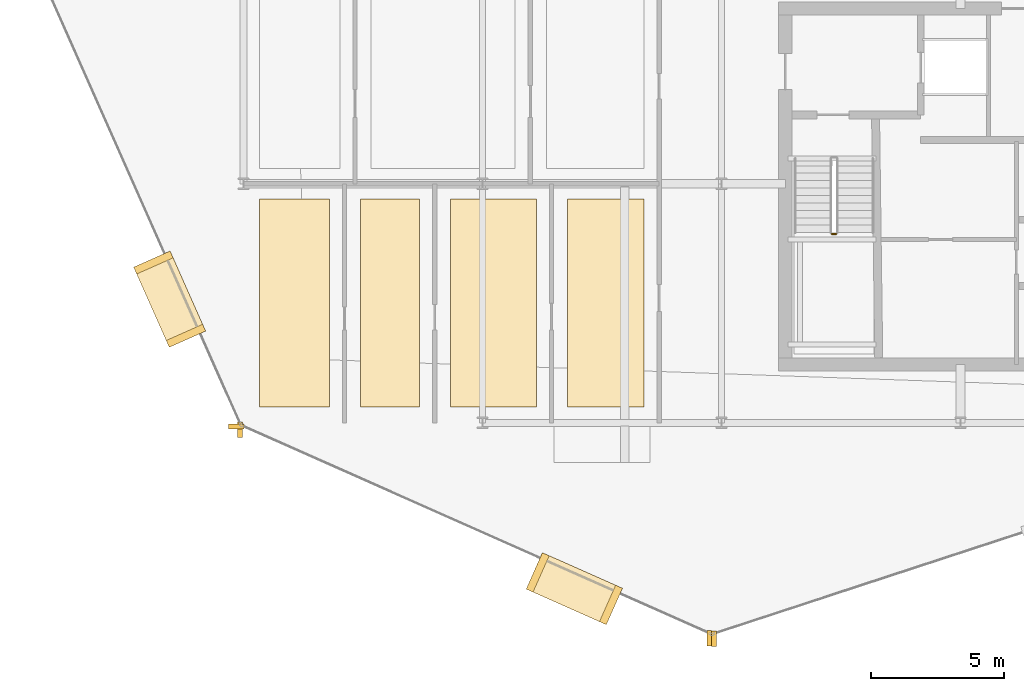
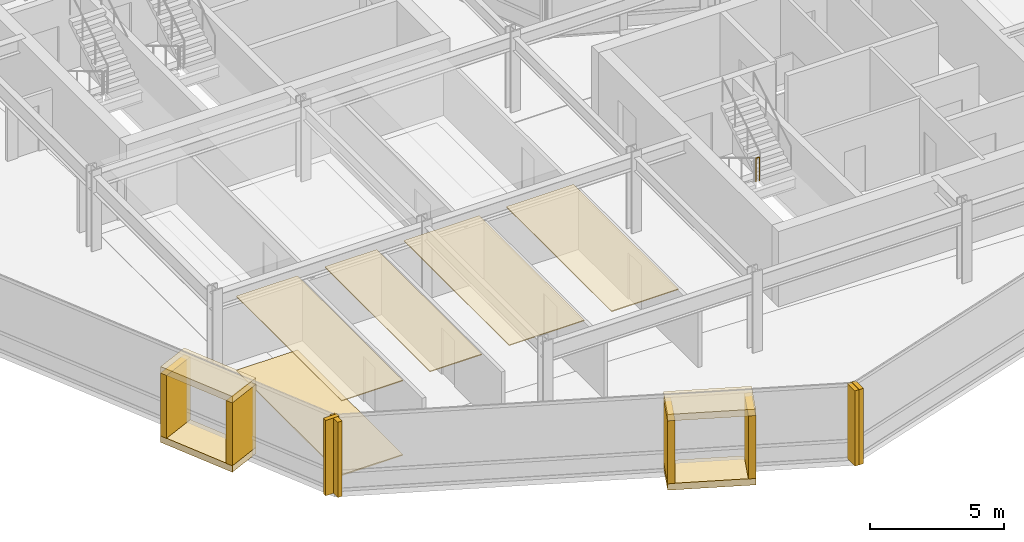
# One storey, part 24 of 28: 17 coverings, 1 railing.
"""IFC4 building model written with IfcOpenShell, lengths in metres."""

import ifcopenshell
import ifcopenshell.guid

model = None  # the IFC model being written
_history = None  # IfcOwnerHistory: only IFC2X3 demands one
_inside = {}  # id of a spatial element -> (the spatial element, [elements in it])
_under = {}  # id of a project, library or spatial element -> (it, [spatial elements below it])
_declared = {}  # id of a project -> (the project, [libraries it declares])
_typed = {}  # id of a type object -> (the type object, [elements of that type])
_made_of = {}  # id of a material, layer set ... -> (it, [elements and type objects made of it])


def new_model(schema):
    """Start an empty IFC model of exactly this schema.

    Asked for "IFC4X3", IfcOpenShell would pick the latest addendum, in which some entities
    have other attributes; the version numbers below select the first issue.
    IFC2X3 requires an IfcOwnerHistory on every rooted entity: one is made here for all.
    """
    global model, _history
    if schema == "IFC4X3":
        model = ifcopenshell.file(schema_version=(4, 3, 0, 0))
    else:
        model = ifcopenshell.file(schema=schema)
    _inside.clear()
    _under.clear()
    _declared.clear()
    _typed.clear()
    _made_of.clear()
    _history = None
    if model.schema == "IFC2X3":
        org = make("IfcOrganization", Name="unknown")
        user = make(
            "IfcPersonAndOrganization",
            ThePerson=make("IfcPerson", FamilyName="unknown"),
            TheOrganization=org,
        )
        app = make(
            "IfcApplication",
            ApplicationDeveloper=org,
            Version="unknown",
            ApplicationFullName="unknown",
            ApplicationIdentifier="unknown",
        )
        _history = make(
            "IfcOwnerHistory",
            OwningUser=user,
            OwningApplication=app,
            ChangeAction="ADDED",
            CreationDate=0,
        )
    return model


def make(cls, **values):
    """One entity of the class cls with the attributes given. An attribute that is None is left unset."""
    return model.create_entity(
        cls, **{name: value for name, value in values.items() if value is not None}
    )


def rooted(cls, **values):
    """An entity with a GlobalId (a new one), such as an element, a storey or a relation."""
    return make(cls, GlobalId=ifcopenshell.guid.new(), OwnerHistory=_history, **values)


def si_unit(unit_type, name, prefix=None):
    """IfcSIUnit, for example si_unit("LENGTHUNIT", "METRE", prefix="MILLI")."""
    return make("IfcSIUnit", UnitType=unit_type, Prefix=prefix, Name=name)


def assignment(units):
    """IfcUnitAssignment: the units of a project."""
    return None if units is None else make("IfcUnitAssignment", Units=units)


def point(xyz):
    """IfcCartesianPoint."""
    return None if xyz is None else make("IfcCartesianPoint", Coordinates=xyz)


def direction(xyz):
    """IfcDirection."""
    return None if xyz is None else make("IfcDirection", DirectionRatios=xyz)


def frame(location, z_axis=None, x_axis=None):
    """IfcAxis2Placement3D, a coordinate frame: its origin and axes. An axis left out is left unset."""
    return make(
        "IfcAxis2Placement3D",
        Location=point(location),
        Axis=direction(z_axis),
        RefDirection=direction(x_axis),
    )


def frame_2d(location, x_axis=None):
    """IfcAxis2Placement2D, a coordinate frame in the plane: its origin and x axis."""
    return make(
        "IfcAxis2Placement2D", Location=point(location), RefDirection=direction(x_axis)
    )


def origin():
    """The frame at (0, 0, 0) with its axes left unset."""
    return frame((0.0, 0.0, 0.0))


def origin_2d():
    """The frame at (0, 0) in the plane with its x axis left unset."""
    return frame_2d((0.0, 0.0))


def place(relative_to, where):
    """IfcLocalPlacement: puts the frame where relative to a parent placement (None: the world)."""
    return make(
        "IfcLocalPlacement", PlacementRelTo=relative_to, RelativePlacement=where
    )


def context(
    kind, dimensions, precision=None, world=None, true_north=None, identifier=None
):
    """IfcGeometricRepresentationContext, for example the 3D "Model" context."""
    return make(
        "IfcGeometricRepresentationContext",
        ContextIdentifier=identifier,
        ContextType=kind,
        CoordinateSpaceDimension=dimensions,
        Precision=precision,
        WorldCoordinateSystem=world,
        TrueNorth=true_north,
    )


def subcontext(parent, identifier, kind, view, scale=None):
    """IfcGeometricRepresentationSubContext, for example "Body" below "Model"."""
    return make(
        "IfcGeometricRepresentationSubContext",
        ContextIdentifier=identifier,
        ContextType=kind,
        ParentContext=parent,
        TargetScale=scale,
        TargetView=view,
    )


def project(units=None, contexts=None):
    """IfcProject with its units and contexts."""
    return rooted(
        "IfcProject",
        Name="project",
        RepresentationContexts=contexts,
        UnitsInContext=assignment(units),
    )


def spatial(cls, under=None, at=None, **own):
    """A site, building, storey or space (cls), placed at a placement, below another one or the project."""
    s = rooted(cls, ObjectPlacement=at, **own)
    if under is not None:
        _under.setdefault(under.id(), (under, []))[1].append(s)
    return s


def polyline(points):
    """IfcPolyline through the points."""
    return make("IfcPolyline", Points=[point(p) for p in points])


def profile(cls, at=None, kind="AREA", **sizes):
    """A parametric profile (cls). Its sizes go by their IFC names, for example OverallWidth=200.0."""
    return make(cls, ProfileType=kind, Position=at, **sizes)


def rectangle(**sizes):
    """IfcRectangleProfileDef."""
    return profile("IfcRectangleProfileDef", **sizes)


def circle(**sizes):
    """IfcCircleProfileDef."""
    return profile("IfcCircleProfileDef", **sizes)


def outline(outer, holes=None, kind="AREA"):
    """IfcArbitraryClosedProfileDef: a profile drawn as a closed curve; with holes, ...WithVoids."""
    if holes is None:
        return make("IfcArbitraryClosedProfileDef", ProfileType=kind, OuterCurve=outer)
    return make(
        "IfcArbitraryProfileDefWithVoids",
        ProfileType=kind,
        OuterCurve=outer,
        InnerCurves=holes,
    )


def extrude(swept, where, along, depth):
    """IfcExtrudedAreaSolid: the profile swept, set in the frame where, extruded along a direction by depth."""
    return make(
        "IfcExtrudedAreaSolid",
        SweptArea=swept,
        Position=where,
        ExtrudedDirection=direction(along),
        Depth=depth,
    )


def shape(context_of_items, identifier, shape_type, items):
    """IfcShapeRepresentation: the items that make up one representation, for example the "Body"."""
    return make(
        "IfcShapeRepresentation",
        ContextOfItems=context_of_items,
        RepresentationIdentifier=identifier,
        RepresentationType=shape_type,
        Items=items,
    )


def material(Name=None, Category=None):
    """IfcMaterial."""
    return make("IfcMaterial", Name=Name, Category=Category)


def layer(
    of_material, thickness, ventilated=None, Name=None, Category=None, Priority=None
):
    """IfcMaterialLayer: one layer of a wall or slab, of a material (None: an air gap)."""
    return make(
        "IfcMaterialLayer",
        Material=of_material,
        LayerThickness=thickness,
        IsVentilated=ventilated,
        Name=Name,
        Category=Category,
        Priority=Priority,
    )


def layer_set(layers, Name=None):
    """IfcMaterialLayerSet."""
    return make("IfcMaterialLayerSet", MaterialLayers=layers, LayerSetName=Name)


def made_of(thing, what):
    """Note that an element or type object is made of a material, layer set ...; save() writes the relation."""
    if what is not None:
        _made_of.setdefault(what.id(), (what, []))[1].append(thing)
    return thing


def type_object(cls, material=None, **own):
    """A type object (cls), such as IfcWallType, which elements share."""
    return made_of(rooted(cls, **own), material)


def element(
    cls,
    number,
    at=None,
    inside=None,
    cuts=None,
    type_object=None,
    material=None,
    context=None,
    identifier="Body",
    shape_type=None,
    held_by="IfcProductDefinitionShape",
    body=None,
    shapes=None,
    **own,
):
    """One element of the class cls, such as IfcWall. Its Tag is "e" and its number.

    at: its placement. inside: the storey or other place that contains it. cuts: it is an
    opening in that element (IfcRelVoidsElement). A single representation is given by context,
    identifier, shape_type and body (its items); several are given by shapes. held_by: the class
    of the entity that holds the representations. save() writes the other relations.
    """
    e = rooted(cls, Tag="e%d" % number, ObjectPlacement=at, **own)
    if body is not None:
        shapes = [shape(context, identifier, shape_type, body)]
    if shapes is not None:
        e.Representation = make(held_by, Representations=shapes)
    if inside is not None:
        _inside.setdefault(inside.id(), (inside, []))[1].append(e)
    if cuts is not None:
        rooted(
            "IfcRelVoidsElement", RelatingBuildingElement=cuts, RelatedOpeningElement=e
        )
    if type_object is not None:
        _typed.setdefault(type_object.id(), (type_object, []))[1].append(e)
    return made_of(e, material)


def aggregate(whole, parts):
    """IfcRelAggregates: a whole, such as a stair, and the parts it consists of."""
    return rooted("IfcRelAggregates", RelatingObject=whole, RelatedObjects=parts)


def save(model, path):
    """Write the relations noted so far, then the file.

    IfcRelAggregates (storeys below a building ...), IfcRelContainedInSpatialStructure (elements
    in a storey), IfcRelDefinesByType, IfcRelAssociatesMaterial and IfcRelDeclares: one each for
    every whole, place, type object, material and project.
    """
    for whole, parts in _under.values():
        aggregate(whole, parts)
    for where, things in _inside.values():
        rooted(
            "IfcRelContainedInSpatialStructure",
            RelatedElements=things,
            RelatingStructure=where,
        )
    for kind, things in _typed.values():
        rooted("IfcRelDefinesByType", RelatedObjects=things, RelatingType=kind)
    for what, things in _made_of.values():
        rooted("IfcRelAssociatesMaterial", RelatedObjects=things, RelatingMaterial=what)
    for by, libraries in _declared.values():
        rooted("IfcRelDeclares", RelatingContext=by, RelatedDefinitions=libraries)
    model.write(path)


model = new_model("IFC4")

# Units and contexts
model_context = context("Model", 3, precision=1e-05, world=origin(), true_north=direction((0.0, 1.0)))
body_context = subcontext(model_context, "Body", "Model", "MODEL_VIEW")
ifc_project = project(units=[si_unit("LENGTHUNIT", "METRE"), si_unit("AREAUNIT", "SQUARE_METRE"), si_unit("VOLUMEUNIT", "CUBIC_METRE"), si_unit("PLANEANGLEUNIT", "RADIAN"), si_unit("MASSUNIT", "GRAM", prefix="KILO")], contexts=[model_context])

# Site, building, storey
site_placement = place(None, origin())
site = spatial("IfcSite", under=ifc_project, at=site_placement, CompositionType="ELEMENT")
building_placement = place(site_placement, origin())
building = spatial("IfcBuilding", under=site, at=building_placement, Name="Solvaryn Broadcast Tower", CompositionType="ELEMENT")
storey_placement = place(building_placement, frame((0.0, 0.0, 158.10009765625)))
storey = spatial("IfcBuildingStorey", under=building, at=storey_placement, Name="L39", CompositionType="ELEMENT", Elevation=158.10009765625)

# Coverings
ifc_material_1 = material(Name="Micro-Perforated Acoustic Gypsum Ceiling", Category="concrete")
ifc_layer_1 = layer(ifc_material_1, 0.0400390625)
ifc_layer_set_1 = layer_set([ifc_layer_1], Name="CV-CEIL-ACOUSTIC")
covering_type_1 = type_object("IfcCoveringType", Name="CV-CEIL-ACOUSTIC", PredefinedType="CEILING", material=ifc_layer_set_1)
covering_1_placement = place(storey_placement, frame((0.0, 0.0, 3.3798828125)))
element("IfcCovering", 1, at=covering_1_placement, inside=storey, type_object=covering_type_1, Name="L39 Room Acoustic Ceiling 4", PredefinedType="CEILING", context=body_context, shape_type="SweptSolid", body=[
    extrude(outline(polyline([(9.60009765625, 9.60009765625), (12.22998046875, 9.60009765625), (12.22998046875, 17.429931640625), (9.60009765625, 17.429931640625), (9.60009765625, 9.60009765625)])), origin(), (0.0, 0.0, 1.0), 0.0400390625),
])
covering_2_placement = place(storey_placement, frame((0.0, 0.0, 3.3798828125)))
element("IfcCovering", 2, at=covering_2_placement, inside=storey, type_object=covering_type_1, Name="L39 Room Acoustic Ceiling 5", PredefinedType="CEILING", context=body_context, shape_type="SweptSolid", body=[
    extrude(outline(polyline([(13.39990234375, 9.60009765625), (15.6298828125, 9.60009765625), (15.6298828125, 17.429931640625), (13.39990234375, 17.429931640625), (13.39990234375, 9.60009765625)])), origin(), (0.0, 0.0, 1.0), 0.0400390625),
])
covering_3_placement = place(storey_placement, frame((0.0, 0.0, 3.3798828125)))
element("IfcCovering", 3, at=covering_3_placement, inside=storey, type_object=covering_type_1, Name="L39 Room Acoustic Ceiling 6", PredefinedType="CEILING", context=body_context, shape_type="SweptSolid", body=[
    extrude(outline(polyline([(16.800048828125, 9.60009765625), (20.030029296875, 9.60009765625), (20.030029296875, 17.429931640625), (16.800048828125, 17.429931640625), (16.800048828125, 9.60009765625)])), origin(), (0.0, 0.0, 1.0), 0.0400390625),
])
covering_4_placement = place(storey_placement, frame((0.0, 0.0, 3.3798828125)))
element("IfcCovering", 4, at=covering_4_placement, inside=storey, type_object=covering_type_1, Name="L39 Room Acoustic Ceiling 7", PredefinedType="CEILING", context=body_context, shape_type="SweptSolid", body=[
    extrude(outline(polyline([(21.199951171875, 9.60009765625), (24.080078125, 9.60009765625), (24.080078125, 17.429931640625), (21.199951171875, 17.429931640625), (21.199951171875, 9.60009765625)])), origin(), (0.0, 0.0, 1.0), 0.0400390625),
])
ifc_material_2 = material(Name="Newsroom Raised Data Access Flooring", Category="steel")
ifc_layer_2 = layer(ifc_material_2, 0.050048828125)
ifc_layer_set_2 = layer_set([ifc_layer_2], Name="CV-FLOOR-RAISED")
covering_type_2 = type_object("IfcCoveringType", Name="CV-FLOOR-RAISED", PredefinedType="FLOORING", material=ifc_layer_set_2)
covering_5_placement = place(storey_placement, origin())
element("IfcCovering", 5, at=covering_5_placement, inside=storey, type_object=covering_type_2, Name="L39 Room Acoustic Floor Finish 4", PredefinedType="FLOORING", context=body_context, shape_type="SweptSolid", body=[
    extrude(outline(polyline([(9.60009765625, 9.60009765625), (12.22998046875, 9.60009765625), (12.22998046875, 17.429931640625), (9.60009765625, 17.429931640625), (9.60009765625, 9.60009765625)])), origin(), (0.0, 0.0, 1.0), 0.0498046875),
])
ifc_material_3 = material(Name="Glazed Architectural Terracotta Rainscreen Cladding", Category="masonry")
ifc_layer_3 = layer(ifc_material_3, 0.280029296875)
ifc_layer_set_3 = layer_set([ifc_layer_3], Name="CV-TC-CLAD")
covering_type_3 = type_object("IfcCoveringType", Name="CV-TC-CLAD", PredefinedType="CLADDING", material=ifc_layer_set_3)
for number, where, z_axis, x_axis, name in (
    (6, (6.218994140625, 13.656982421875, 3.1298828125), (0.0, 0.0, 1.0), (0.405939269498, -0.913900054426, 0.0), "L39 Projecting Stone Window Box Hood 2"),
    (7, (6.218994140625, 13.656982421875, -0.01025390625), (0.0, 0.0, 1.0), (0.405939269498, -0.913900054426, 0.0), "L39 Projecting Stone Window Box Sill 2"),
):
    element("IfcCovering", number, at=place(storey_placement, frame(where, z_axis=z_axis, x_axis=x_axis)), inside=storey, type_object=covering_type_3, Name=name, PredefinedType="CLADDING", context=body_context, shape_type="SweptSolid", body=[
        extrude(rectangle(XDim=3.300048828125, YDim=1.5, at=origin_2d()), origin(), (0.0, 0.0, 1.0), 0.300048828125),
    ])
for number, where, z_axis, x_axis, name in (
    (8, (5.60595703125, 15.037109375, 0.27978515625), (0.0, 0.0, 1.0), (0.405939269498, -0.913900054426, 0.0), "L39 Projecting Stone Window Box Cheek 2-1"),
    (9, (6.83203125, 12.277099609375, 0.27978515625), (0.0, 0.0, 1.0), (0.405939269498, -0.913900054426, 0.0), "L39 Projecting Stone Window Box Cheek 2-2"),
):
    element("IfcCovering", number, at=place(storey_placement, frame(where, z_axis=z_axis, x_axis=x_axis)), inside=storey, type_object=covering_type_3, Name=name, PredefinedType="CLADDING", context=body_context, shape_type="SweptSolid", body=[
        extrude(rectangle(XDim=0.280029296875, YDim=1.5, at=origin_2d()), origin(), (0.0, 0.0, 1.0), 2.860107421875),
    ])
for number, where, z_axis, x_axis, name in (
    (10, (21.45703125, 2.75390625, 3.1298828125), (0.0, 0.0, 1.0), (0.913900054426, -0.405939269498, 0.0), "L39 Projecting Stone Window Box Hood 3"),
    (11, (21.45703125, 2.75390625, -0.01025390625), (0.0, 0.0, 1.0), (0.913900054426, -0.405939269498, 0.0), "L39 Projecting Stone Window Box Sill 3"),
):
    element("IfcCovering", number, at=place(storey_placement, frame(where, z_axis=z_axis, x_axis=x_axis)), inside=storey, type_object=covering_type_3, Name=name, PredefinedType="CLADDING", context=body_context, shape_type="SweptSolid", body=[
        extrude(rectangle(XDim=3.300048828125, YDim=1.5, at=origin_2d()), origin(), (0.0, 0.0, 1.0), 0.300048828125),
    ])
for number, where, z_axis, x_axis, name in (
    (12, (20.076904296875, 3.366943359375, 0.27978515625), (0.0, 0.0, 1.0), (0.913900054426, -0.405939269498, 0.0), "L39 Projecting Stone Window Box Cheek 3-1"),
    (13, (22.8369140625, 2.14111328125, 0.27978515625), (0.0, 0.0, 1.0), (0.913900054426, -0.405939269498, 0.0), "L39 Projecting Stone Window Box Cheek 3-2"),
):
    element("IfcCovering", number, at=place(storey_placement, frame(where, z_axis=z_axis, x_axis=x_axis)), inside=storey, type_object=covering_type_3, Name=name, PredefinedType="CLADDING", context=body_context, shape_type="SweptSolid", body=[
        extrude(rectangle(XDim=0.280029296875, YDim=1.5, at=origin_2d()), origin(), (0.0, 0.0, 1.0), 2.860107421875),
    ])
ifc_material_4 = material(Name="Extruded Architectural Terracotta Fin", Category="masonry")
ifc_layer_4 = layer(ifc_material_4, 0.179931640625)
ifc_layer_set_4 = layer_set([ifc_layer_4], Name="CV-TC-FIN")
covering_type_4 = type_object("IfcCoveringType", Name="CV-TC-FIN", PredefinedType="USERDEFINED", material=ifc_layer_set_4)
covering_6_placement = place(storey_placement, frame((8.731689453125, 8.86279296875, 0.0), z_axis=(0.0, 0.0, 1.0), x_axis=(1.0, 0.0, 0.0)))
element("IfcCovering", 14, at=covering_6_placement, inside=storey, type_object=covering_type_4, Name="L39 Terracotta Vertical Fin FIN-L39-DR2-M01", ObjectType="FIN", PredefinedType="USERDEFINED", context=body_context, shape_type="SweptSolid", body=[
    extrude(rectangle(XDim=0.580078125, YDim=0.179931640625, at=origin_2d()), origin(), (0.0, 0.0, 1.0), 3.419921875),
])
for number, where, z_axis, x_axis, name in (
    (15, (8.86279296875, 8.731689453125, 0.0), (0.0, 0.0, 1.0), (1.0, 0.0, 0.0), "L39 Terracotta Vertical Fin FIN-L39-DR3-M00"),
    (16, (26.535888671875, 0.8818359375, 0.0), (0.0, 0.0, 1.0), (1.0, 0.0, 0.0), "L39 Terracotta Vertical Fin FIN-L39-DR3-M01"),
    (17, (26.720703125, 0.872314453125, 0.0), (0.0, 0.0, 1.0), (1.0, 0.0, 0.0), "L39 Terracotta Vertical Fin FIN-L39-DR4-M00"),
):
    element("IfcCovering", number, at=place(storey_placement, frame(where, z_axis=z_axis, x_axis=x_axis)), inside=storey, type_object=covering_type_4, Name=name, ObjectType="FIN", PredefinedType="USERDEFINED", context=body_context, shape_type="SweptSolid", body=[
        extrude(rectangle(XDim=0.179931640625, YDim=0.580078125, at=origin_2d()), origin(), (0.0, 0.0, 1.0), 3.419921875),
    ])

# Railing
ifc_material_5 = material(Name="Painted Steel Stair Well Guard", Category="steel")
railing_type = type_object("IfcRailingType", Name="RL-STAIR-GUARD", PredefinedType="BALUSTRADE", material=ifc_material_5)
railing_placement = place(storey_placement, frame((31.159912109375, 16.110107421875, 1.849853515625)))
element("IfcRailing", 18, at=railing_placement, inside=storey, type_object=railing_type, Name="L39 ST3 stair guard 2", PredefinedType="BALUSTRADE", context=body_context, shape_type="SweptSolid", body=[
    extrude(circle(Radius=0.02392578125, at=origin_2d()), frame((0.0, 0.0, 1.076171875), z_axis=(1.0, 0.0, 0.0), x_axis=(0.0, 1.0, 0.0)), (0.0, 0.0, 1.0), 0.150146484375),
    extrude(circle(Radius=0.02099609375, at=origin_2d()), origin(), (0.0, 0.0, 1.0), 1.052001953125),
    extrude(circle(Radius=0.02099609375, at=origin_2d()), frame((0.150146484375, 0.0, 0.0)), (0.0, 0.0, 1.0), 1.052001953125),
])

save(model, "model.ifc")
